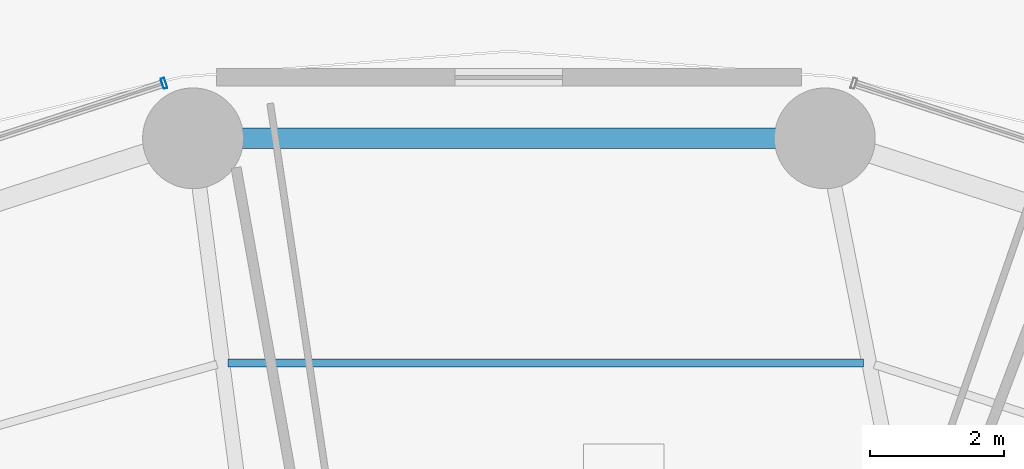
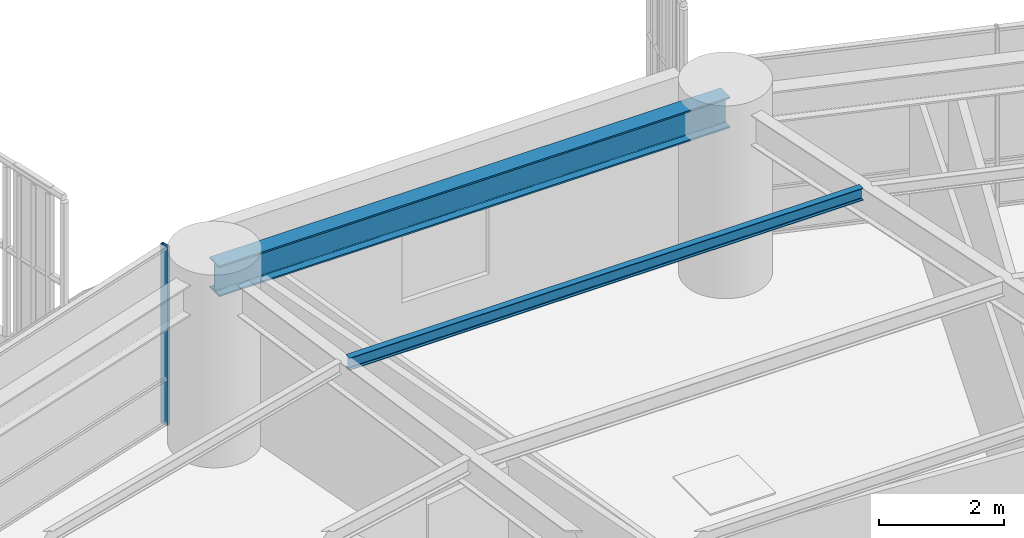
# One storey, part 18 of 32: 2 beams, 1 member, 1 element without a shape of its own.
"""IFC4 building model written with IfcOpenShell, lengths in metres."""

from ifc_helpers import new_model, si_unit, direction, frame, origin, origin_2d, place, context, subcontext, project, spatial, hollow_rectangle, i_section, extrude, material, layer, layer_set, material_profile, profile_set, type_object, element, aggregate, save


model = new_model("IFC4")

# Units and contexts
model_context = context("Model", 3, precision=1e-05, world=origin(), true_north=direction((0.0, 1.0)))
body_context = subcontext(model_context, "Body", "Model", "MODEL_VIEW")
ifc_project = project(units=[si_unit("LENGTHUNIT", "METRE"), si_unit("AREAUNIT", "SQUARE_METRE"), si_unit("VOLUMEUNIT", "CUBIC_METRE"), si_unit("PLANEANGLEUNIT", "RADIAN"), si_unit("MASSUNIT", "GRAM", prefix="KILO")], contexts=[model_context])

# Site, building, storey
site_placement = place(None, origin())
site = spatial("IfcSite", under=ifc_project, at=site_placement, CompositionType="ELEMENT")
building_placement = place(site_placement, origin())
building = spatial("IfcBuilding", under=site, at=building_placement, Name="Kelanora Arch Commons", CompositionType="ELEMENT")
storey_placement = place(building_placement, frame((0.0, 0.0, 56.25)))
storey = spatial("IfcBuildingStorey", under=building, at=storey_placement, Name="L14", CompositionType="ELEMENT", Elevation=56.25)

# Beams
ifc_material_1 = material(Name="Steel S355", Category="steel")
ifc_material_profile_1 = material_profile(ifc_material_1, i_section(OverallWidth=0.1201171875, OverallDepth=0.239990234375, WebThickness=0.006103515625, FlangeThickness=0.009765625, FilletRadius=0.014892578125, at=origin_2d()), Name="IPE240")
ifc_profile_set_1 = profile_set([ifc_material_profile_1], Name="Steel S355")
beam_type_1 = type_object("IfcBeamType", Name="BM-JST-02", PredefinedType="JOIST", material=ifc_profile_set_1)
beam_1_placement = place(storey_placement, frame((79.27685546875, 78.371337890625, 3.3701171875), z_axis=(-1.0, 0.0, 0.0), x_axis=(0.0, -1.0, 0.0)))
element("IfcBeam", 1, at=beam_1_placement, inside=storey, type_object=beam_type_1, Name="Secondary Chord Joist BJC-08 L14", PredefinedType="JOIST", context=body_context, shape_type="SweptSolid", body=[
    extrude(i_section(OverallWidth=0.1201171875, OverallDepth=0.239990234375, WebThickness=0.006103515625, FlangeThickness=0.009765625, FilletRadius=0.014892578125, at=origin_2d()), origin(), (0.0, 0.0, 1.0), 9.457763671875),
])
ifc_material_profile_2 = material_profile(ifc_material_1, i_section(OverallWidth=0.300048828125, OverallDepth=0.60009765625, WebThickness=0.015380859375, FlangeThickness=0.030029296875, FilletRadius=0.027099609375, at=origin_2d()), Name="HEB600")
ifc_profile_set_2 = profile_set([ifc_material_profile_2], Name="Steel S355")
beam_type_2 = type_object("IfcBeamType", Name="BM-SPN-Z1", PredefinedType="SPANDREL", material=ifc_profile_set_2)
beam_2_placement = place(storey_placement, frame((78.702392578125, 81.714111328125, 3.18994140625), z_axis=(-1.0, 0.0, 0.0), x_axis=(0.0, -1.0, 0.0)))
element("IfcBeam", 2, at=beam_2_placement, inside=storey, type_object=beam_type_2, Name="Perimeter Spandrel Beam BS-08 L14", PredefinedType="SPANDREL", context=body_context, shape_type="SweptSolid", body=[
    extrude(i_section(OverallWidth=0.300048828125, OverallDepth=0.60009765625, WebThickness=0.015380859375, FlangeThickness=0.030029296875, FilletRadius=0.027099609375, at=origin_2d()), origin(), (0.0, 0.0, 1.0), 9.40478515625),
])

# Curtain wall, member
ifc_material_2 = material(Name="Terracotta ceramic-fritted low-E glass and aluminium", Category="masonry")
ifc_layer = layer(ifc_material_2, 0.159912109375)
ifc_layer_set = layer_set([ifc_layer], Name="Terracotta ceramic-fritted low-E glass and aluminium")
curtain_wall_type = type_object("IfcCurtainWallType", Name="CW-SYS-01", PredefinedType="NOTDEFINED", material=ifc_layer_set)
curtain_wall_placement = place(storey_placement, origin())
curtain_wall = element("IfcCurtainWall", 3, at=curtain_wall_placement, inside=storey, type_object=curtain_wall_type, Name="Unitised Curtain Wall L14-B05", PredefinedType="NOTDEFINED")
ifc_material_3 = material(Name="Powder-coated aluminium terracotta", Category="masonry")
ifc_material_profile_3 = material_profile(ifc_material_3, hollow_rectangle(XDim=0.159912109375, YDim=0.06005859375, WallThickness=0.0048828125, InnerFilletRadius=0.0048828125, OuterFilletRadius=0.010009765625, at=origin_2d()), Name="CWM160x60")
ifc_profile_set_3 = profile_set([ifc_material_profile_3], Name="Powder-coated aluminium terracotta")
member_type = type_object("IfcMemberType", Name="CWM-STD", PredefinedType="MULLION", material=ifc_profile_set_3)
member_placement = place(storey_placement, frame((68.865478515625, 82.53173828125, 0.0), z_axis=(0.0, 0.0, 1.0), x_axis=(0.30905758454, -0.951043326793, 0.0)))
member = element("IfcMember", 4, at=member_placement, type_object=member_type, Name="CW-01 mullion 1", PredefinedType="MULLION", context=body_context, shape_type="SweptSolid", body=[
    extrude(hollow_rectangle(XDim=0.159912109375, YDim=0.06005859375, WallThickness=0.0048828125, InnerFilletRadius=0.0048828125, OuterFilletRadius=0.010009765625, at=origin_2d()), origin(), (0.0, 0.0, 1.0), 3.47509765625),
])
aggregate(curtain_wall, [member])

save(model, "model.ifc")
